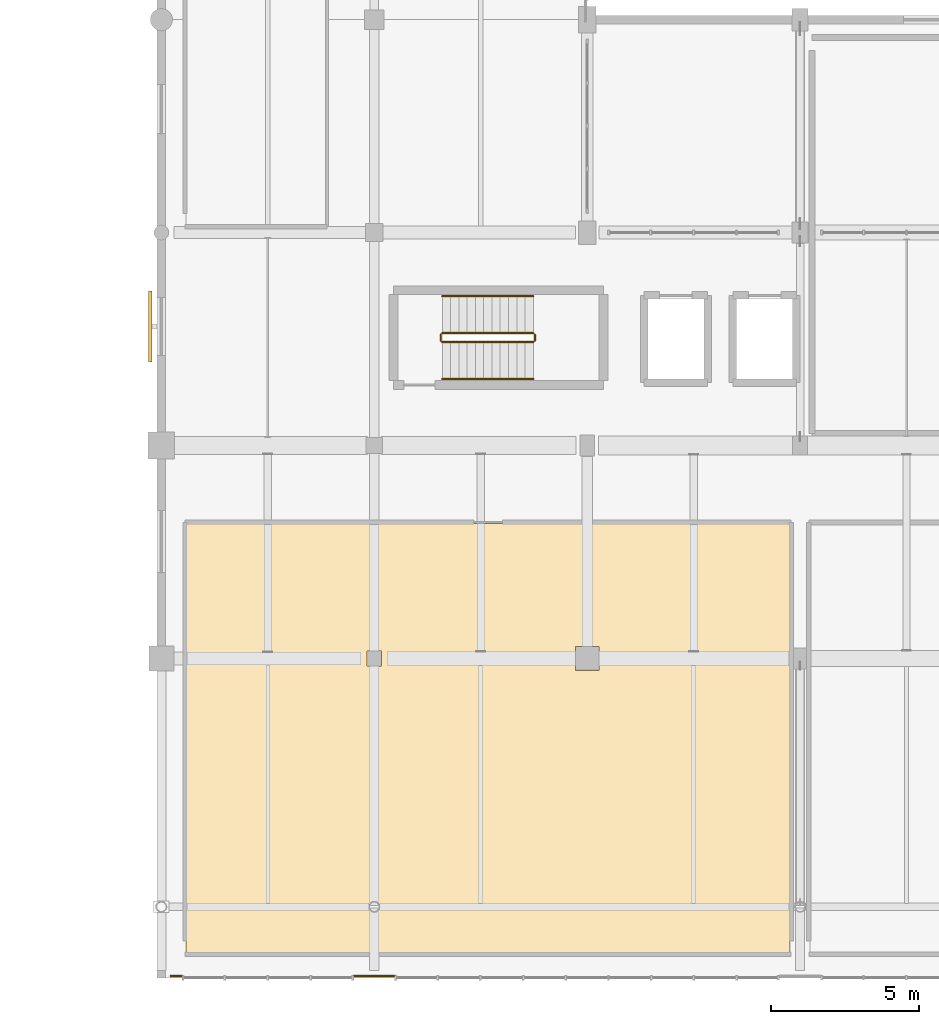
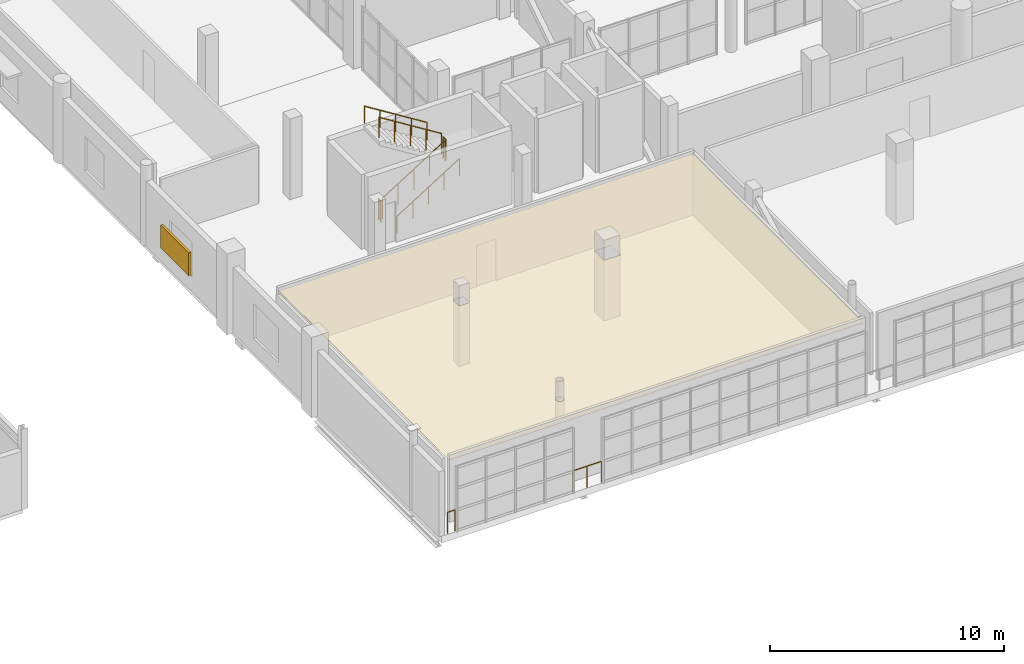
# One storey, part 83 of 90: 8 railings, 1 covering, 1 shading device.
"""IFC4 building model written with IfcOpenShell, lengths in metres."""

from ifc_helpers import new_model, si_unit, direction, frame, origin, origin_2d, place, context, subcontext, project, spatial, polyline, rectangle, circle, outline, extrude, material, layer, layer_set, type_object, element, save


model = new_model("IFC4")

# Units and contexts
model_context = context("Model", 3, precision=1e-05, world=origin(), true_north=direction((0.0, 1.0)))
body_context = subcontext(model_context, "Body", "Model", "MODEL_VIEW")
ifc_project = project(units=[si_unit("LENGTHUNIT", "METRE"), si_unit("AREAUNIT", "SQUARE_METRE"), si_unit("VOLUMEUNIT", "CUBIC_METRE"), si_unit("PLANEANGLEUNIT", "RADIAN"), si_unit("MASSUNIT", "GRAM", prefix="KILO")], contexts=[model_context])

# Site, building, storey
site_placement = place(None, origin())
site = spatial("IfcSite", under=ifc_project, at=site_placement, CompositionType="ELEMENT")
building_placement = place(site_placement, origin())
building = spatial("IfcBuilding", under=site, at=building_placement, Name="Solanera Park Tramway Depot", CompositionType="ELEMENT")
storey_placement = place(building_placement, frame((0.0, 0.0, 9.0)))
storey = spatial("IfcBuildingStorey", under=building, at=storey_placement, Name="L02", CompositionType="ELEMENT", Elevation=9.0)

# Covering
ifc_material_1 = material(Name="Acoustic perforated plasterboard and mineral-fibre ceiling")
ifc_layer_1 = layer(ifc_material_1, 0.02001953125)
ifc_layer_set_1 = layer_set([ifc_layer_1], Name="Acoustic perforated plasterboard and mineral-fibre ceiling")
covering_type = type_object("IfcCoveringType", Name="Acoustic Mineral-Fibre Ceiling 20", PredefinedType="CEILING", material=ifc_layer_set_1)
covering_placement = place(storey_placement, frame((0.0, 0.0, 3.14990234375)))
element("IfcCovering", 1, at=covering_placement, inside=storey, type_object=covering_type, Name="Cyclone Incident and Crisis Command Suite Acoustic Ceiling", PredefinedType="CEILING", context=body_context, shape_type="SweptSolid", body=[
    extrude(outline(polyline([(129.260009765625, 15.360107421875), (129.260009765625, 0.840087890625), (108.840087890625, 0.840087890625), (108.840087890625, 15.360107421875), (129.260009765625, 15.360107421875)]), holes=[polyline([(114.947021484375, 11.052978515625), (114.947021484375, 10.547119140625), (115.452880859375, 10.547119140625), (115.452880859375, 11.052978515625), (114.947021484375, 11.052978515625)]), polyline([(122.802978515625, 11.202880859375), (121.9970703125, 11.202880859375), (121.9970703125, 10.39697265625), (122.802978515625, 10.39697265625), (122.802978515625, 11.202880859375)]), polyline([(115.377197265625, 2.435302734375), (115.350341796875, 2.50048828125), (115.30029296875, 2.55029296875), (115.2353515625, 2.577392578125), (115.164794921875, 2.577392578125), (115.099609375, 2.55029296875), (115.0498046875, 2.50048828125), (115.022705078125, 2.435302734375), (115.022705078125, 2.36474609375), (115.0498046875, 2.299560546875), (115.099609375, 2.249755859375), (115.164794921875, 2.22265625), (115.2353515625, 2.22265625), (115.30029296875, 2.249755859375), (115.350341796875, 2.299560546875), (115.377197265625, 2.36474609375), (115.377197265625, 2.435302734375)])]), origin(), (0.0, 0.0, 1.0), 0.02001953125),
])

# Railings
ifc_material_2 = material(Name="Powder-coated galvanised steel balustrade", Category="steel")
ifc_layer_2 = layer(ifc_material_2, 0.06005859375)
ifc_layer_set_2 = layer_set([ifc_layer_2], Name="Powder-coated galvanised steel balustrade")
railing_type_1 = type_object("IfcRailingType", Name="Classical Wrought-Style Balustrade 1120", PredefinedType="BALUSTRADE", material=ifc_layer_set_2)
railing_1_placement = place(storey_placement, frame((115.89990234375, 0.06005859375, 0.0)))
element("IfcRailing", 2, at=railing_1_placement, inside=storey, type_object=railing_type_1, Name="L02 Perimeter Deck Balustrade #040", PredefinedType="BALUSTRADE", context=body_context, shape_type="SweptSolid", body=[
    extrude(circle(Radius=0.02392578125, at=origin_2d()), frame((0.0, 0.0, 1.09619140625), z_axis=(-1.0, 0.0, 0.0), x_axis=(0.0, -1.0, 0.0)), (0.0, 0.0, 1.0), 1.39990234375),
    extrude(circle(Radius=0.02099609375, at=origin_2d()), origin(), (0.0, 0.0, 1.0), 1.072021484375),
    extrude(circle(Radius=0.02099609375, at=origin_2d()), frame((-0.699951171875, 0.0, 0.0)), (0.0, 0.0, 1.0), 1.072021484375),
    extrude(circle(Radius=0.02099609375, at=origin_2d()), frame((-1.39990234375, 0.0, 0.0)), (0.0, 0.0, 1.0), 1.072021484375),
])
railing_2_placement = place(storey_placement, frame((108.699951171875, 0.06005859375, 0.0)))
element("IfcRailing", 3, at=railing_2_placement, inside=storey, type_object=railing_type_1, Name="L02 Perimeter Deck Balustrade #041", PredefinedType="BALUSTRADE", context=body_context, shape_type="SweptSolid", body=[
    extrude(circle(Radius=0.02392578125, at=origin_2d()), frame((0.0, 0.0, 1.09619140625), z_axis=(-1.0, 0.0, 0.0), x_axis=(0.0, -1.0, 0.0)), (0.0, 0.0, 1.0), 0.3798828125),
    extrude(circle(Radius=0.02099609375, at=origin_2d()), origin(), (0.0, 0.0, 1.0), 1.072021484375),
    extrude(circle(Radius=0.02099609375, at=origin_2d()), frame((-0.3798828125, 0.0, 0.0)), (0.0, 0.0, 1.0), 1.072021484375),
])
ifc_material_3 = material(Name="Brushed stainless steel 316 handrail", Category="steel")
ifc_layer_3 = layer(ifc_material_3, 0.050048828125)
ifc_layer_set_3 = layer_set([ifc_layer_3], Name="Brushed stainless steel 316 handrail")
railing_type_2 = type_object("IfcRailingType", Name="Stair Pitch Tubular Handrail 920", PredefinedType="HANDRAIL", material=ifc_layer_set_3)
railing_3_placement = place(storey_placement, frame((117.5, 20.25, 0.175048828125)))
element("IfcRailing", 4, at=railing_3_placement, inside=storey, type_object=railing_type_2, Name="ST-01 L02 Pitch Handrail 1", PredefinedType="HANDRAIL", context=body_context, shape_type="SweptSolid", body=[
    extrude(circle(Radius=0.02392578125, at=origin_2d()), frame((0.0, 0.0, 0.89599609375), z_axis=(0.847998304005, 0.0, 0.529998940003), x_axis=(0.0, 1.0, 0.0)), (0.0, 0.0, 1.0), 3.632080078125),
    extrude(circle(Radius=0.02099609375, at=origin_2d()), origin(), (0.0, 0.0, 1.0), 0.871826171875),
    extrude(circle(Radius=0.02099609375, at=origin_2d()), frame((0.77001953125, 0.0, 0.481201171875)), (0.0, 0.0, 1.0), 0.871826171875),
    extrude(circle(Radius=0.02099609375, at=origin_2d()), frame((1.5400390625, 0.0, 0.96240234375)), (0.0, 0.0, 1.0), 0.871826171875),
    extrude(circle(Radius=0.02099609375, at=origin_2d()), frame((2.31005859375, 0.0, 1.44384765625)), (0.0, 0.0, 1.0), 0.871826171875),
    extrude(circle(Radius=0.02099609375, at=origin_2d()), frame((3.080078125, 0.0, 1.925048828125)), (0.0, 0.0, 1.0), 0.871826171875),
])
railing_4_placement = place(storey_placement, frame((120.580078125, 23.050048828125, 2.27490234375)))
element("IfcRailing", 5, at=railing_4_placement, inside=storey, type_object=railing_type_2, Name="ST-01 L02 Pitch Handrail 2", PredefinedType="HANDRAIL", context=body_context, shape_type="SweptSolid", body=[
    extrude(circle(Radius=0.02392578125, at=origin_2d()), frame((0.0, 0.0, 0.89599609375), z_axis=(-0.847998304005, 0.0, 0.529998940003), x_axis=(0.0, -1.0, 0.0)), (0.0, 0.0, 1.0), 3.632080078125),
    extrude(circle(Radius=0.02099609375, at=origin_2d()), origin(), (0.0, 0.0, 1.0), 0.871826171875),
    extrude(circle(Radius=0.02099609375, at=origin_2d()), frame((-0.77001953125, 0.0, 0.481201171875)), (0.0, 0.0, 1.0), 0.871826171875),
    extrude(circle(Radius=0.02099609375, at=origin_2d()), frame((-1.5400390625, 0.0, 0.96240234375)), (0.0, 0.0, 1.0), 0.871826171875),
    extrude(circle(Radius=0.02099609375, at=origin_2d()), frame((-2.31005859375, 0.0, 1.44384765625)), (0.0, 0.0, 1.0), 0.871826171875),
    extrude(circle(Radius=0.02099609375, at=origin_2d()), frame((-3.080078125, 0.0, 1.925048828125)), (0.0, 0.0, 1.0), 0.871826171875),
])
ifc_material_4 = material(Name="Steel AS/NZS 1163 Grade C350L0", Category="steel")
ifc_layer_4 = layer(ifc_material_4, 0.06005859375)
ifc_layer_set_4 = layer_set([ifc_layer_4], Name="Steel AS/NZS 1163 Grade C350L0")
railing_type_3 = type_object("IfcRailingType", Name="Stairwell Guardrail 1100", PredefinedType="GUARDRAIL", material=ifc_layer_set_4)
railing_5_placement = place(storey_placement, frame((117.5, 21.5, 0.175048828125)))
element("IfcRailing", 6, at=railing_5_placement, inside=storey, type_object=railing_type_3, Name="ST-01 L02 Well Guard 1", PredefinedType="GUARDRAIL", context=body_context, shape_type="SweptSolid", body=[
    extrude(circle(Radius=0.02392578125, at=origin_2d()), frame((0.0, 0.0, 1.076171875), z_axis=(0.847998304005, 0.0, 0.529998940003), x_axis=(0.0, 1.0, 0.0)), (0.0, 0.0, 1.0), 3.632080078125),
    extrude(circle(Radius=0.02099609375, at=origin_2d()), origin(), (0.0, 0.0, 1.0), 1.052001953125),
    extrude(circle(Radius=0.02099609375, at=origin_2d()), frame((0.77001953125, 0.0, 0.481201171875)), (0.0, 0.0, 1.0), 1.052001953125),
    extrude(circle(Radius=0.02099609375, at=origin_2d()), frame((1.5400390625, 0.0, 0.96240234375)), (0.0, 0.0, 1.0), 1.052001953125),
    extrude(circle(Radius=0.02099609375, at=origin_2d()), frame((2.31005859375, 0.0, 1.44384765625)), (0.0, 0.0, 1.0), 1.052001953125),
    extrude(circle(Radius=0.02099609375, at=origin_2d()), frame((3.080078125, 0.0, 1.925048828125)), (0.0, 0.0, 1.0), 1.052001953125),
])
railing_6_placement = place(storey_placement, frame((120.6298828125, 21.550048828125, 2.10009765625)))
element("IfcRailing", 7, at=railing_6_placement, inside=storey, type_object=railing_type_3, Name="ST-01 L02 Well Guard 2", PredefinedType="GUARDRAIL", context=body_context, shape_type="SweptSolid", body=[
    extrude(circle(Radius=0.02392578125, at=origin_2d()), frame((0.0, 0.0, 1.076171875), z_axis=(0.0, 1.0, 0.0), x_axis=(-1.0, 0.0, 0.0)), (0.0, 0.0, 1.0), 0.199951171875),
    extrude(circle(Radius=0.02099609375, at=origin_2d()), origin(), (0.0, 0.0, 1.0), 1.052001953125),
    extrude(circle(Radius=0.02099609375, at=origin_2d()), frame((0.0, 0.199951171875, 0.0)), (0.0, 0.0, 1.0), 1.052001953125),
])
railing_7_placement = place(storey_placement, frame((120.580078125, 21.800048828125, 2.27490234375)))
element("IfcRailing", 8, at=railing_7_placement, inside=storey, type_object=railing_type_3, Name="ST-01 L02 Well Guard 3", PredefinedType="GUARDRAIL", context=body_context, shape_type="SweptSolid", body=[
    extrude(circle(Radius=0.02392578125, at=origin_2d()), frame((0.0, 0.0, 1.076171875), z_axis=(-0.847998304005, 0.0, 0.529998940003), x_axis=(0.0, -1.0, 0.0)), (0.0, 0.0, 1.0), 3.632080078125),
    extrude(circle(Radius=0.02099609375, at=origin_2d()), origin(), (0.0, 0.0, 1.0), 1.052001953125),
    extrude(circle(Radius=0.02099609375, at=origin_2d()), frame((-0.77001953125, 0.0, 0.481201171875)), (0.0, 0.0, 1.0), 1.052001953125),
    extrude(circle(Radius=0.02099609375, at=origin_2d()), frame((-1.5400390625, 0.0, 0.96240234375)), (0.0, 0.0, 1.0), 1.052001953125),
    extrude(circle(Radius=0.02099609375, at=origin_2d()), frame((-2.31005859375, 0.0, 1.44384765625)), (0.0, 0.0, 1.0), 1.052001953125),
    extrude(circle(Radius=0.02099609375, at=origin_2d()), frame((-3.080078125, 0.0, 1.925048828125)), (0.0, 0.0, 1.0), 1.052001953125),
])
railing_8_placement = place(storey_placement, frame((117.449951171875, 21.550048828125, 0.0)))
element("IfcRailing", 9, at=railing_8_placement, inside=storey, type_object=railing_type_3, Name="ST-01 L02 Well Guard 4", PredefinedType="GUARDRAIL", context=body_context, shape_type="SweptSolid", body=[
    extrude(circle(Radius=0.02392578125, at=origin_2d()), frame((0.0, 0.0, 1.076171875), z_axis=(0.0, 1.0, 0.0), x_axis=(-1.0, 0.0, 0.0)), (0.0, 0.0, 1.0), 0.199951171875),
    extrude(circle(Radius=0.02099609375, at=origin_2d()), origin(), (0.0, 0.0, 1.0), 1.052001953125),
    extrude(circle(Radius=0.02099609375, at=origin_2d()), frame((0.0, 0.199951171875, 0.0)), (0.0, 0.0, 1.0), 1.052001953125),
])

# Shading device
ifc_material_5 = material(Name="Powder-coated aluminium aerofoil louvre", Category="aluminium")
shading_device_type = type_object("IfcShadingDeviceType", Name="Timber-Look Aluminium Jalousie Louvre 2400x1200", PredefinedType="JALOUSIE", material=ifc_material_5)
shading_device_placement = place(storey_placement, frame((107.6201171875, 22.02490234375, 1.080078125), z_axis=(0.0, 0.0, 1.0), x_axis=(0.0, -1.0, 0.0)))
element("IfcShadingDevice", 10, at=shading_device_placement, inside=storey, type_object=shading_device_type, Name="Jalousie Louvre Screen #030", PredefinedType="JALOUSIE", context=body_context, shape_type="SweptSolid", body=[
    extrude(rectangle(XDim=2.39990234375, YDim=0.1201171875, at=origin_2d()), origin(), (0.0, 0.0, 1.0), 1.199951171875),
])

save(model, "model.ifc")
